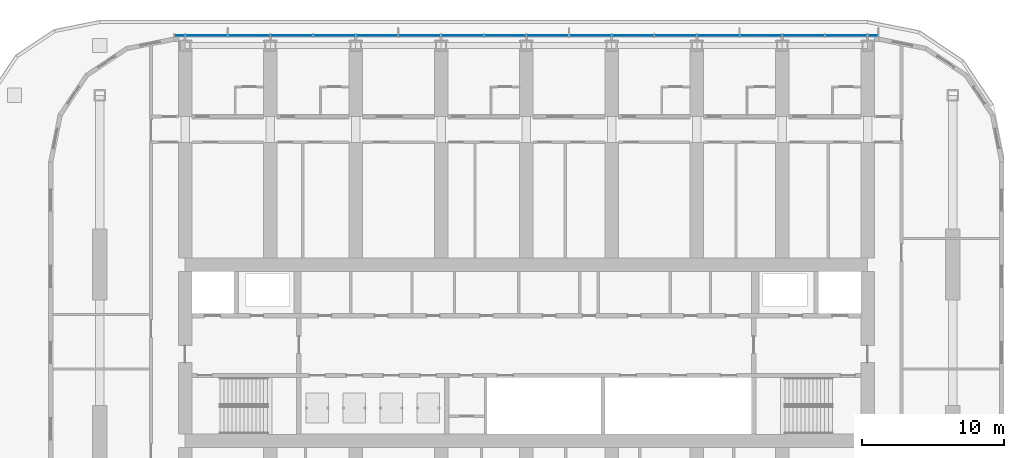
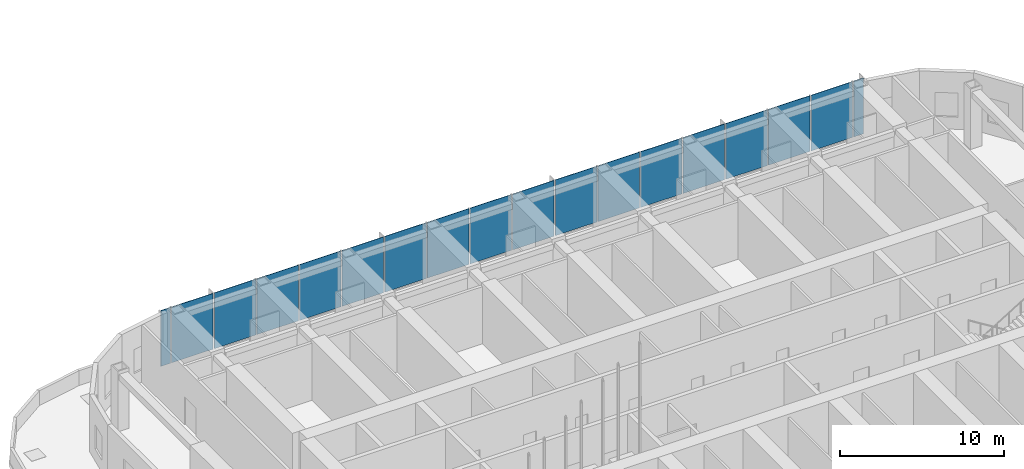
# One storey, part 9 of 32: 18 plates, 1 element without a shape of its own.
"""IFC4 building model written with IfcOpenShell, lengths in metres."""

import ifcopenshell
import ifcopenshell.guid

model = None  # the IFC model being written
_history = None  # IfcOwnerHistory: only IFC2X3 demands one
_inside = {}  # id of a spatial element -> (the spatial element, [elements in it])
_under = {}  # id of a project, library or spatial element -> (it, [spatial elements below it])
_declared = {}  # id of a project -> (the project, [libraries it declares])
_typed = {}  # id of a type object -> (the type object, [elements of that type])
_made_of = {}  # id of a material, layer set ... -> (it, [elements and type objects made of it])


def new_model(schema):
    """Start an empty IFC model of exactly this schema.

    Asked for "IFC4X3", IfcOpenShell would pick the latest addendum, in which some entities
    have other attributes; the version numbers below select the first issue.
    IFC2X3 requires an IfcOwnerHistory on every rooted entity: one is made here for all.
    """
    global model, _history
    if schema == "IFC4X3":
        model = ifcopenshell.file(schema_version=(4, 3, 0, 0))
    else:
        model = ifcopenshell.file(schema=schema)
    _inside.clear()
    _under.clear()
    _declared.clear()
    _typed.clear()
    _made_of.clear()
    _history = None
    if model.schema == "IFC2X3":
        org = make("IfcOrganization", Name="unknown")
        user = make(
            "IfcPersonAndOrganization",
            ThePerson=make("IfcPerson", FamilyName="unknown"),
            TheOrganization=org,
        )
        app = make(
            "IfcApplication",
            ApplicationDeveloper=org,
            Version="unknown",
            ApplicationFullName="unknown",
            ApplicationIdentifier="unknown",
        )
        _history = make(
            "IfcOwnerHistory",
            OwningUser=user,
            OwningApplication=app,
            ChangeAction="ADDED",
            CreationDate=0,
        )
    return model


def make(cls, **values):
    """One entity of the class cls with the attributes given. An attribute that is None is left unset."""
    return model.create_entity(
        cls, **{name: value for name, value in values.items() if value is not None}
    )


def rooted(cls, **values):
    """An entity with a GlobalId (a new one), such as an element, a storey or a relation."""
    return make(cls, GlobalId=ifcopenshell.guid.new(), OwnerHistory=_history, **values)


def si_unit(unit_type, name, prefix=None):
    """IfcSIUnit, for example si_unit("LENGTHUNIT", "METRE", prefix="MILLI")."""
    return make("IfcSIUnit", UnitType=unit_type, Prefix=prefix, Name=name)


def assignment(units):
    """IfcUnitAssignment: the units of a project."""
    return None if units is None else make("IfcUnitAssignment", Units=units)


def point(xyz):
    """IfcCartesianPoint."""
    return None if xyz is None else make("IfcCartesianPoint", Coordinates=xyz)


def direction(xyz):
    """IfcDirection."""
    return None if xyz is None else make("IfcDirection", DirectionRatios=xyz)


def frame(location, z_axis=None, x_axis=None):
    """IfcAxis2Placement3D, a coordinate frame: its origin and axes. An axis left out is left unset."""
    return make(
        "IfcAxis2Placement3D",
        Location=point(location),
        Axis=direction(z_axis),
        RefDirection=direction(x_axis),
    )


def frame_2d(location, x_axis=None):
    """IfcAxis2Placement2D, a coordinate frame in the plane: its origin and x axis."""
    return make(
        "IfcAxis2Placement2D", Location=point(location), RefDirection=direction(x_axis)
    )


def origin():
    """The frame at (0, 0, 0) with its axes left unset."""
    return frame((0.0, 0.0, 0.0))


def origin_2d():
    """The frame at (0, 0) in the plane with its x axis left unset."""
    return frame_2d((0.0, 0.0))


def place(relative_to, where):
    """IfcLocalPlacement: puts the frame where relative to a parent placement (None: the world)."""
    return make(
        "IfcLocalPlacement", PlacementRelTo=relative_to, RelativePlacement=where
    )


def context(
    kind, dimensions, precision=None, world=None, true_north=None, identifier=None
):
    """IfcGeometricRepresentationContext, for example the 3D "Model" context."""
    return make(
        "IfcGeometricRepresentationContext",
        ContextIdentifier=identifier,
        ContextType=kind,
        CoordinateSpaceDimension=dimensions,
        Precision=precision,
        WorldCoordinateSystem=world,
        TrueNorth=true_north,
    )


def subcontext(parent, identifier, kind, view, scale=None):
    """IfcGeometricRepresentationSubContext, for example "Body" below "Model"."""
    return make(
        "IfcGeometricRepresentationSubContext",
        ContextIdentifier=identifier,
        ContextType=kind,
        ParentContext=parent,
        TargetScale=scale,
        TargetView=view,
    )


def project(units=None, contexts=None):
    """IfcProject with its units and contexts."""
    return rooted(
        "IfcProject",
        Name="project",
        RepresentationContexts=contexts,
        UnitsInContext=assignment(units),
    )


def spatial(cls, under=None, at=None, **own):
    """A site, building, storey or space (cls), placed at a placement, below another one or the project."""
    s = rooted(cls, ObjectPlacement=at, **own)
    if under is not None:
        _under.setdefault(under.id(), (under, []))[1].append(s)
    return s


def profile(cls, at=None, kind="AREA", **sizes):
    """A parametric profile (cls). Its sizes go by their IFC names, for example OverallWidth=200.0."""
    return make(cls, ProfileType=kind, Position=at, **sizes)


def rectangle(**sizes):
    """IfcRectangleProfileDef."""
    return profile("IfcRectangleProfileDef", **sizes)


def extrude(swept, where, along, depth):
    """IfcExtrudedAreaSolid: the profile swept, set in the frame where, extruded along a direction by depth."""
    return make(
        "IfcExtrudedAreaSolid",
        SweptArea=swept,
        Position=where,
        ExtrudedDirection=direction(along),
        Depth=depth,
    )


def shape(context_of_items, identifier, shape_type, items):
    """IfcShapeRepresentation: the items that make up one representation, for example the "Body"."""
    return make(
        "IfcShapeRepresentation",
        ContextOfItems=context_of_items,
        RepresentationIdentifier=identifier,
        RepresentationType=shape_type,
        Items=items,
    )


def material(Name=None, Category=None):
    """IfcMaterial."""
    return make("IfcMaterial", Name=Name, Category=Category)


def layer(
    of_material, thickness, ventilated=None, Name=None, Category=None, Priority=None
):
    """IfcMaterialLayer: one layer of a wall or slab, of a material (None: an air gap)."""
    return make(
        "IfcMaterialLayer",
        Material=of_material,
        LayerThickness=thickness,
        IsVentilated=ventilated,
        Name=Name,
        Category=Category,
        Priority=Priority,
    )


def layer_set(layers, Name=None):
    """IfcMaterialLayerSet."""
    return make("IfcMaterialLayerSet", MaterialLayers=layers, LayerSetName=Name)


def made_of(thing, what):
    """Note that an element or type object is made of a material, layer set ...; save() writes the relation."""
    if what is not None:
        _made_of.setdefault(what.id(), (what, []))[1].append(thing)
    return thing


def type_object(cls, material=None, **own):
    """A type object (cls), such as IfcWallType, which elements share."""
    return made_of(rooted(cls, **own), material)


def element(
    cls,
    number,
    at=None,
    inside=None,
    cuts=None,
    type_object=None,
    material=None,
    context=None,
    identifier="Body",
    shape_type=None,
    held_by="IfcProductDefinitionShape",
    body=None,
    shapes=None,
    **own,
):
    """One element of the class cls, such as IfcWall. Its Tag is "e" and its number.

    at: its placement. inside: the storey or other place that contains it. cuts: it is an
    opening in that element (IfcRelVoidsElement). A single representation is given by context,
    identifier, shape_type and body (its items); several are given by shapes. held_by: the class
    of the entity that holds the representations. save() writes the other relations.
    """
    e = rooted(cls, Tag="e%d" % number, ObjectPlacement=at, **own)
    if body is not None:
        shapes = [shape(context, identifier, shape_type, body)]
    if shapes is not None:
        e.Representation = make(held_by, Representations=shapes)
    if inside is not None:
        _inside.setdefault(inside.id(), (inside, []))[1].append(e)
    if cuts is not None:
        rooted(
            "IfcRelVoidsElement", RelatingBuildingElement=cuts, RelatedOpeningElement=e
        )
    if type_object is not None:
        _typed.setdefault(type_object.id(), (type_object, []))[1].append(e)
    return made_of(e, material)


def aggregate(whole, parts):
    """IfcRelAggregates: a whole, such as a stair, and the parts it consists of."""
    return rooted("IfcRelAggregates", RelatingObject=whole, RelatedObjects=parts)


def save(model, path):
    """Write the relations noted so far, then the file.

    IfcRelAggregates (storeys below a building ...), IfcRelContainedInSpatialStructure (elements
    in a storey), IfcRelDefinesByType, IfcRelAssociatesMaterial and IfcRelDeclares: one each for
    every whole, place, type object, material and project.
    """
    for whole, parts in _under.values():
        aggregate(whole, parts)
    for where, things in _inside.values():
        rooted(
            "IfcRelContainedInSpatialStructure",
            RelatedElements=things,
            RelatingStructure=where,
        )
    for kind, things in _typed.values():
        rooted("IfcRelDefinesByType", RelatedObjects=things, RelatingType=kind)
    for what, things in _made_of.values():
        rooted("IfcRelAssociatesMaterial", RelatedObjects=things, RelatingMaterial=what)
    for by, libraries in _declared.values():
        rooted("IfcRelDeclares", RelatingContext=by, RelatedDefinitions=libraries)
    model.write(path)


model = new_model("IFC4")

# Units and contexts
model_context = context("Model", 3, precision=1e-05, world=origin(), true_north=direction((0.0, 1.0)))
body_context = subcontext(model_context, "Body", "Model", "MODEL_VIEW")
ifc_project = project(units=[si_unit("LENGTHUNIT", "METRE"), si_unit("AREAUNIT", "SQUARE_METRE"), si_unit("VOLUMEUNIT", "CUBIC_METRE"), si_unit("PLANEANGLEUNIT", "RADIAN"), si_unit("MASSUNIT", "GRAM", prefix="KILO")], contexts=[model_context])

# Site, building, storey
site_placement = place(None, origin())
site = spatial("IfcSite", under=ifc_project, at=site_placement, CompositionType="ELEMENT")
building_placement = place(site_placement, origin())
building = spatial("IfcBuilding", under=site, at=building_placement, Name="Orbita Commons", CompositionType="ELEMENT")
storey_placement = place(building_placement, frame((0.0, 0.0, 140.35009765625)))
storey = spatial("IfcBuildingStorey", under=building, at=storey_placement, Name="L34", CompositionType="ELEMENT", Elevation=140.35009765625)

# Curtain wall, plates
ifc_material_1 = material(Name="Anodised aluminium frame, pale silver", Category="aluminium")
curtain_wall_type = type_object("IfcCurtainWallType", Name="Unitised curtain wall CW-S, full-height", PredefinedType="NOTDEFINED", material=ifc_material_1)
curtain_wall_placement = place(storey_placement, origin())
curtain_wall = element("IfcCurtainWall", 1, at=curtain_wall_placement, inside=storey, type_object=curtain_wall_type, Name="Curtain wall north L34", PredefinedType="NOTDEFINED")
ifc_material_2 = material(Name="Low-iron glass", Category="glass")
ifc_layer = layer(ifc_material_2, 0.031982421875)
ifc_layer_set = layer_set([ifc_layer], Name="Low-iron glass")
plate_type = type_object("IfcPlateType", Name="Vision panel, clear low-iron glazing 32", PredefinedType="CURTAIN_PANEL", material=ifc_layer_set)
plate_1_placement = place(storey_placement, frame((66.3798828125, 54.31005859375, 0.099853515625), z_axis=(0.0, 0.0, 1.0), x_axis=(-1.0, 0.0, 0.0)))
plate_1 = element("IfcPlate", 2, at=plate_1_placement, type_object=plate_type, Name="Panel 1.1 CW-L34-N", PredefinedType="CURTAIN_PANEL", context=body_context, shape_type="SweptSolid", body=[
    extrude(rectangle(XDim=0.679931640625, YDim=0.031982421875, at=origin_2d()), origin(), (0.0, 0.0, 1.0), 4.14990234375),
])
plate_2_placement = place(storey_placement, frame((64.5, 54.31005859375, 0.099853515625), z_axis=(0.0, 0.0, 1.0), x_axis=(-1.0, 0.0, 0.0)))
plate_2 = element("IfcPlate", 3, at=plate_2_placement, type_object=plate_type, Name="Panel 2.1 CW-L34-N", PredefinedType="CURTAIN_PANEL", context=body_context, shape_type="SweptSolid", body=[
    extrude(rectangle(XDim=2.919921875, YDim=0.031982421875, at=origin_2d()), origin(), (0.0, 0.0, 1.0), 4.14990234375),
])
plate_3_placement = place(storey_placement, frame((61.5, 54.31005859375, 0.099853515625), z_axis=(0.0, 0.0, 1.0), x_axis=(-1.0, 0.0, 0.0)))
plate_3 = element("IfcPlate", 4, at=plate_3_placement, type_object=plate_type, Name="Panel 3.1 CW-L34-N", PredefinedType="CURTAIN_PANEL", context=body_context, shape_type="SweptSolid", body=[
    extrude(rectangle(XDim=2.919921875, YDim=0.031982421875, at=origin_2d()), origin(), (0.0, 0.0, 1.0), 4.14990234375),
])
plate_4_placement = place(storey_placement, frame((58.5, 54.31005859375, 0.099853515625), z_axis=(0.0, 0.0, 1.0), x_axis=(-1.0, 0.0, 0.0)))
plate_4 = element("IfcPlate", 5, at=plate_4_placement, type_object=plate_type, Name="Panel 4.1 CW-L34-N", PredefinedType="CURTAIN_PANEL", context=body_context, shape_type="SweptSolid", body=[
    extrude(rectangle(XDim=2.919921875, YDim=0.031982421875, at=origin_2d()), origin(), (0.0, 0.0, 1.0), 4.14990234375),
])
plate_5_placement = place(storey_placement, frame((55.5, 54.31005859375, 0.099853515625), z_axis=(0.0, 0.0, 1.0), x_axis=(-1.0, 0.0, 0.0)))
plate_5 = element("IfcPlate", 6, at=plate_5_placement, type_object=plate_type, Name="Panel 5.1 CW-L34-N", PredefinedType="CURTAIN_PANEL", context=body_context, shape_type="SweptSolid", body=[
    extrude(rectangle(XDim=2.919921875, YDim=0.031982421875, at=origin_2d()), origin(), (0.0, 0.0, 1.0), 4.14990234375),
])
plate_6_placement = place(storey_placement, frame((52.5, 54.31005859375, 0.099853515625), z_axis=(0.0, 0.0, 1.0), x_axis=(-1.0, 0.0, 0.0)))
plate_6 = element("IfcPlate", 7, at=plate_6_placement, type_object=plate_type, Name="Panel 6.1 CW-L34-N", PredefinedType="CURTAIN_PANEL", context=body_context, shape_type="SweptSolid", body=[
    extrude(rectangle(XDim=2.919921875, YDim=0.031982421875, at=origin_2d()), origin(), (0.0, 0.0, 1.0), 4.14990234375),
])
plate_7_placement = place(storey_placement, frame((49.5, 54.31005859375, 0.099853515625), z_axis=(0.0, 0.0, 1.0), x_axis=(-1.0, 0.0, 0.0)))
plate_7 = element("IfcPlate", 8, at=plate_7_placement, type_object=plate_type, Name="Panel 7.1 CW-L34-N", PredefinedType="CURTAIN_PANEL", context=body_context, shape_type="SweptSolid", body=[
    extrude(rectangle(XDim=2.919921875, YDim=0.031982421875, at=origin_2d()), origin(), (0.0, 0.0, 1.0), 4.14990234375),
])
plate_8_placement = place(storey_placement, frame((46.5, 54.31005859375, 0.099853515625), z_axis=(0.0, 0.0, 1.0), x_axis=(-1.0, 0.0, 0.0)))
plate_8 = element("IfcPlate", 9, at=plate_8_placement, type_object=plate_type, Name="Panel 8.1 CW-L34-N", PredefinedType="CURTAIN_PANEL", context=body_context, shape_type="SweptSolid", body=[
    extrude(rectangle(XDim=2.919921875, YDim=0.031982421875, at=origin_2d()), origin(), (0.0, 0.0, 1.0), 4.14990234375),
])
plate_9_placement = place(storey_placement, frame((43.5, 54.31005859375, 0.099853515625), z_axis=(0.0, 0.0, 1.0), x_axis=(-1.0, 0.0, 0.0)))
plate_9 = element("IfcPlate", 10, at=plate_9_placement, type_object=plate_type, Name="Panel 9.1 CW-L34-N", PredefinedType="CURTAIN_PANEL", context=body_context, shape_type="SweptSolid", body=[
    extrude(rectangle(XDim=2.919921875, YDim=0.031982421875, at=origin_2d()), origin(), (0.0, 0.0, 1.0), 4.14990234375),
])
plate_10_placement = place(storey_placement, frame((40.5, 54.31005859375, 0.099853515625), z_axis=(0.0, 0.0, 1.0), x_axis=(-1.0, 0.0, 0.0)))
plate_10 = element("IfcPlate", 11, at=plate_10_placement, type_object=plate_type, Name="Panel 10.1 CW-L34-N", PredefinedType="CURTAIN_PANEL", context=body_context, shape_type="SweptSolid", body=[
    extrude(rectangle(XDim=2.919921875, YDim=0.031982421875, at=origin_2d()), origin(), (0.0, 0.0, 1.0), 4.14990234375),
])
plate_11_placement = place(storey_placement, frame((37.5, 54.31005859375, 0.099853515625), z_axis=(0.0, 0.0, 1.0), x_axis=(-1.0, 0.0, 0.0)))
plate_11 = element("IfcPlate", 12, at=plate_11_placement, type_object=plate_type, Name="Panel 11.1 CW-L34-N", PredefinedType="CURTAIN_PANEL", context=body_context, shape_type="SweptSolid", body=[
    extrude(rectangle(XDim=2.919921875, YDim=0.031982421875, at=origin_2d()), origin(), (0.0, 0.0, 1.0), 4.14990234375),
])
plate_12_placement = place(storey_placement, frame((34.5, 54.31005859375, 0.099853515625), z_axis=(0.0, 0.0, 1.0), x_axis=(-1.0, 0.0, 0.0)))
plate_12 = element("IfcPlate", 13, at=plate_12_placement, type_object=plate_type, Name="Panel 12.1 CW-L34-N", PredefinedType="CURTAIN_PANEL", context=body_context, shape_type="SweptSolid", body=[
    extrude(rectangle(XDim=2.919921875, YDim=0.031982421875, at=origin_2d()), origin(), (0.0, 0.0, 1.0), 4.14990234375),
])
plate_13_placement = place(storey_placement, frame((31.5, 54.31005859375, 0.099853515625), z_axis=(0.0, 0.0, 1.0), x_axis=(-1.0, 0.0, 0.0)))
plate_13 = element("IfcPlate", 14, at=plate_13_placement, type_object=plate_type, Name="Panel 13.1 CW-L34-N", PredefinedType="CURTAIN_PANEL", context=body_context, shape_type="SweptSolid", body=[
    extrude(rectangle(XDim=2.919921875, YDim=0.031982421875, at=origin_2d()), origin(), (0.0, 0.0, 1.0), 4.14990234375),
])
plate_14_placement = place(storey_placement, frame((28.5, 54.31005859375, 0.099853515625), z_axis=(0.0, 0.0, 1.0), x_axis=(-1.0, 0.0, 0.0)))
plate_14 = element("IfcPlate", 15, at=plate_14_placement, type_object=plate_type, Name="Panel 14.1 CW-L34-N", PredefinedType="CURTAIN_PANEL", context=body_context, shape_type="SweptSolid", body=[
    extrude(rectangle(XDim=2.919921875, YDim=0.031982421875, at=origin_2d()), origin(), (0.0, 0.0, 1.0), 4.14990234375),
])
plate_15_placement = place(storey_placement, frame((25.5, 54.31005859375, 0.099853515625), z_axis=(0.0, 0.0, 1.0), x_axis=(-1.0, 0.0, 0.0)))
plate_15 = element("IfcPlate", 16, at=plate_15_placement, type_object=plate_type, Name="Panel 15.1 CW-L34-N", PredefinedType="CURTAIN_PANEL", context=body_context, shape_type="SweptSolid", body=[
    extrude(rectangle(XDim=2.919921875, YDim=0.031982421875, at=origin_2d()), origin(), (0.0, 0.0, 1.0), 4.14990234375),
])
plate_16_placement = place(storey_placement, frame((22.5, 54.31005859375, 0.099853515625), z_axis=(0.0, 0.0, 1.0), x_axis=(-1.0, 0.0, 0.0)))
plate_16 = element("IfcPlate", 17, at=plate_16_placement, type_object=plate_type, Name="Panel 16.1 CW-L34-N", PredefinedType="CURTAIN_PANEL", context=body_context, shape_type="SweptSolid", body=[
    extrude(rectangle(XDim=2.919921875, YDim=0.031982421875, at=origin_2d()), origin(), (0.0, 0.0, 1.0), 4.14990234375),
])
plate_17_placement = place(storey_placement, frame((19.5, 54.31005859375, 0.099853515625), z_axis=(0.0, 0.0, 1.0), x_axis=(-1.0, 0.0, 0.0)))
plate_17 = element("IfcPlate", 18, at=plate_17_placement, type_object=plate_type, Name="Panel 17.1 CW-L34-N", PredefinedType="CURTAIN_PANEL", context=body_context, shape_type="SweptSolid", body=[
    extrude(rectangle(XDim=2.919921875, YDim=0.031982421875, at=origin_2d()), origin(), (0.0, 0.0, 1.0), 4.14990234375),
])
plate_18_placement = place(storey_placement, frame((17.6201171875, 54.31005859375, 0.099853515625), z_axis=(0.0, 0.0, 1.0), x_axis=(-1.0, 0.0, 0.0)))
plate_18 = element("IfcPlate", 19, at=plate_18_placement, type_object=plate_type, Name="Panel 18.1 CW-L34-N", PredefinedType="CURTAIN_PANEL", context=body_context, shape_type="SweptSolid", body=[
    extrude(rectangle(XDim=0.679931640625, YDim=0.031982421875, at=origin_2d()), origin(), (0.0, 0.0, 1.0), 4.14990234375),
])
aggregate(curtain_wall, [plate_1, plate_2, plate_3, plate_4, plate_5, plate_6, plate_7, plate_8, plate_9, plate_10, plate_11, plate_12, plate_13, plate_14, plate_15, plate_16, plate_17, plate_18])

save(model, "model.ifc")
